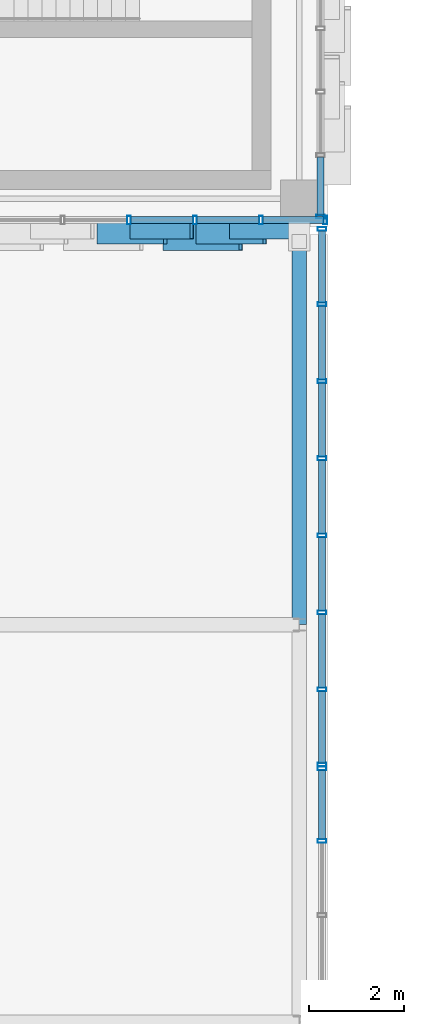
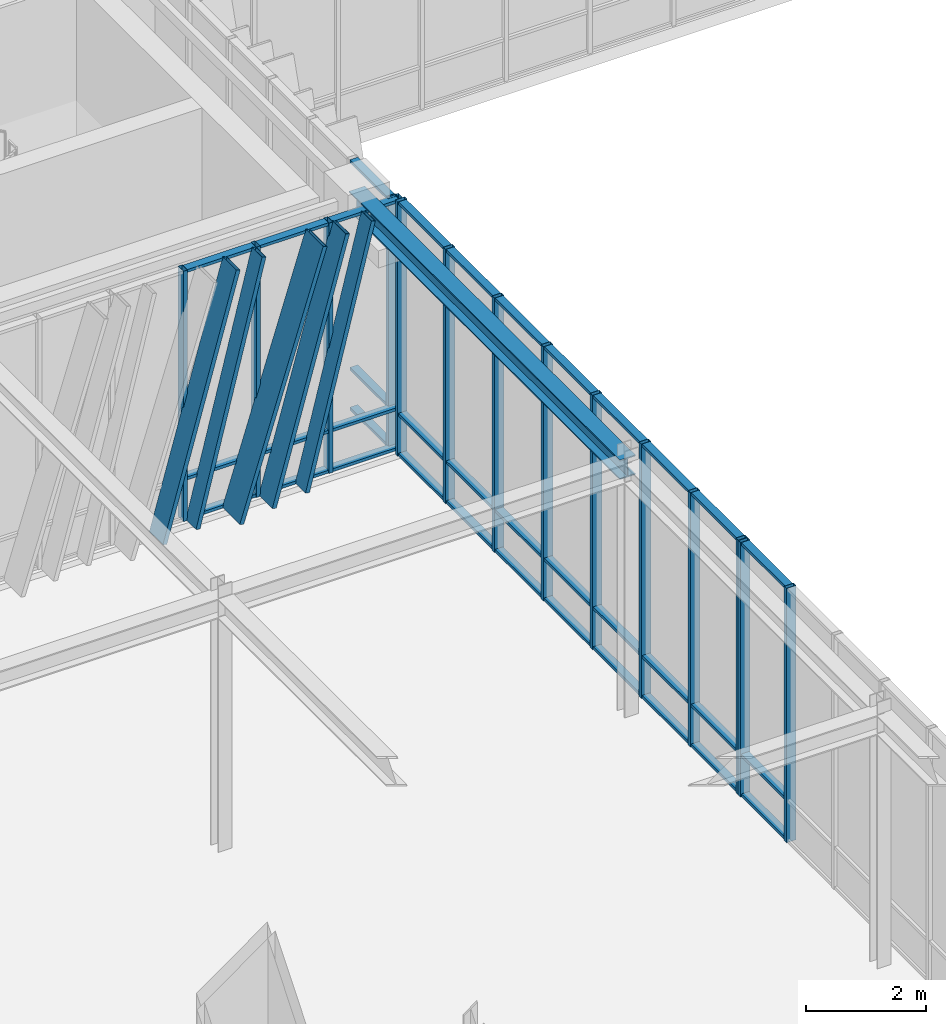
# One storey, part 29 of 139: 56 members, 1 beam, 4 elements without a shape of their own.
"""IFC4 building model written with IfcOpenShell, lengths in metres."""

from ifc_helpers import new_model, si_unit, direction, frame, origin, origin_2d, place, context, subcontext, project, spatial, hollow_rectangle, i_section, extrude, material, layer, layer_set, material_profile, profile_set, type_object, element, aggregate, save


model = new_model("IFC4")

# Units and contexts
model_context = context("Model", 3, precision=1e-05, world=origin(), true_north=direction((0.0, 1.0)))
body_context = subcontext(model_context, "Body", "Model", "MODEL_VIEW")
ifc_project = project(units=[si_unit("LENGTHUNIT", "METRE"), si_unit("AREAUNIT", "SQUARE_METRE"), si_unit("VOLUMEUNIT", "CUBIC_METRE"), si_unit("PLANEANGLEUNIT", "RADIAN"), si_unit("MASSUNIT", "GRAM", prefix="KILO")], contexts=[model_context])

# Site, building, storey
site_placement = place(None, origin())
site = spatial("IfcSite", under=ifc_project, at=site_placement, CompositionType="ELEMENT")
building_placement = place(site_placement, origin())
building = spatial("IfcBuilding", under=site, at=building_placement, Name="Zayran Congress Hotel", CompositionType="ELEMENT")
storey_placement = place(building_placement, frame((0.0, 0.0, 5.39990234375)))
storey = spatial("IfcBuildingStorey", under=building, at=storey_placement, Name="L01", CompositionType="ELEMENT", Elevation=5.39990234375)

# Beam
ifc_material_1 = material(Name="Steel S355", Category="steel")
ifc_material_profile_1 = material_profile(ifc_material_1, i_section(OverallWidth=0.300048828125, OverallDepth=0.39990234375, WebThickness=0.013427734375, FlangeThickness=0.02392578125, at=origin_2d()), Name="HEB 400")
ifc_profile_set_1 = profile_set([ifc_material_profile_1], Name="Steel S355")
beam_type = type_object("IfcBeamType", Name="TP-BM-10", PredefinedType="BEAM", material=ifc_profile_set_1)
beam_placement = place(storey_placement, frame((91.800048828125, 59.199951171875, 4.960205078125), z_axis=(0.0, 1.0, 0.0), x_axis=(-1.0, 0.0, 0.0)))
element("IfcBeam", 1, at=beam_placement, inside=storey, type_object=beam_type, Name="BM-BR2Y-L01-2475", PredefinedType="BEAM", context=body_context, shape_type="SweptSolid", body=[
    extrude(i_section(OverallWidth=0.300048828125, OverallDepth=0.39990234375, WebThickness=0.013427734375, FlangeThickness=0.02392578125, at=origin_2d()), origin(), (0.0, 0.0, 1.0), 9.0),
])

# Curtain wall, members
ifc_material_2 = material(Name="Anodised aluminium and low-E insulated glass", Category="aluminium")
ifc_layer_1 = layer(ifc_material_2, 0.179931640625)
ifc_layer_set_1 = layer_set([ifc_layer_1], Name="Anodised aluminium and low-E insulated glass")
curtain_wall_type_1 = type_object("IfcCurtainWallType", Name="CW-V1S-L01-CW-11-8380-5080", PredefinedType="USERDEFINED", material=ifc_layer_set_1)
curtain_wall_1_placement = place(storey_placement, origin())
curtain_wall_1 = element("IfcCurtainWall", 2, at=curtain_wall_1_placement, inside=storey, type_object=curtain_wall_type_1, Name="CW-V1S-L01-9", ObjectType="CURTAIN WALL", PredefinedType="USERDEFINED")
ifc_material_3 = material(Name="Anodised aluminium framing", Category="aluminium")
ifc_material_profile_2 = material_profile(ifc_material_3, hollow_rectangle(XDim=0.080078125, YDim=0.179931640625, WallThickness=0.0048828125, at=origin_2d()), Name="RHS 180x80x5")
ifc_profile_set_2 = profile_set([ifc_material_profile_2], Name="Anodised aluminium framing")
member_type_1 = type_object("IfcMemberType", Name="TP-CWM-01", PredefinedType="MULLION", material=ifc_profile_set_2)
member_1_placement = place(storey_placement, frame((88.199951171875, 67.75, 0.0), z_axis=(0.0, 0.0, 1.0), x_axis=(1.0, 0.0, 0.0)))
member_1 = element("IfcMember", 3, at=member_1_placement, type_object=member_type_1, Name="CW-V1S-L01-9-M03", PredefinedType="MULLION", context=body_context, shape_type="SweptSolid", body=[
    extrude(hollow_rectangle(XDim=0.080078125, YDim=0.179931640625, WallThickness=0.0048828125, at=origin_2d()), origin(), (0.0, 0.0, 1.0), 5.080078125),
])
member_2_placement = place(storey_placement, frame((89.5966796875, 67.75, 0.0), z_axis=(0.0, 0.0, 1.0), x_axis=(1.0, 0.0, 0.0)))
member_2 = element("IfcMember", 4, at=member_2_placement, type_object=member_type_1, Name="CW-V1S-L01-9-M04", PredefinedType="MULLION", context=body_context, shape_type="SweptSolid", body=[
    extrude(hollow_rectangle(XDim=0.080078125, YDim=0.179931640625, WallThickness=0.0048828125, at=origin_2d()), origin(), (0.0, 0.0, 1.0), 5.080078125),
])
member_3_placement = place(storey_placement, frame((90.993408203125, 67.75, 0.0), z_axis=(0.0, 0.0, 1.0), x_axis=(1.0, 0.0, 0.0)))
member_3 = element("IfcMember", 5, at=member_3_placement, type_object=member_type_1, Name="CW-V1S-L01-9-M05", PredefinedType="MULLION", context=body_context, shape_type="SweptSolid", body=[
    extrude(hollow_rectangle(XDim=0.080078125, YDim=0.179931640625, WallThickness=0.0048828125, at=origin_2d()), origin(), (0.0, 0.0, 1.0), 5.080078125),
])
member_4_placement = place(storey_placement, frame((92.35009765625, 67.75, 0.0), z_axis=(0.0, 0.0, 1.0), x_axis=(1.0, 0.0, 0.0)))
member_4 = element("IfcMember", 6, at=member_4_placement, type_object=member_type_1, Name="CW-V1S-L01-9-M06", PredefinedType="MULLION", context=body_context, shape_type="SweptSolid", body=[
    extrude(hollow_rectangle(XDim=0.080078125, YDim=0.179931640625, WallThickness=0.0048828125, at=origin_2d()), origin(), (0.0, 0.0, 1.0), 5.080078125),
])

# Curtain wall, member
ifc_layer_2 = layer(ifc_material_2, 0.179931640625)
ifc_layer_set_2 = layer_set([ifc_layer_2], Name="Anodised aluminium and low-E insulated glass")
curtain_wall_type_2 = type_object("IfcCurtainWallType", Name="CW-V1E-L01-CW-41-8040-5080", PredefinedType="USERDEFINED", material=ifc_layer_set_2)
curtain_wall_2_placement = place(storey_placement, origin())
curtain_wall_2 = element("IfcCurtainWall", 7, at=curtain_wall_2_placement, inside=storey, type_object=curtain_wall_type_2, Name="CW-V1E-L01-0", ObjectType="CURTAIN WALL", PredefinedType="USERDEFINED")
member_5_placement = place(storey_placement, frame((92.25, 67.820068359375, 0.0), z_axis=(0.0, 0.0, 1.0), x_axis=(0.0, 1.0, 0.0)))
member_5 = element("IfcMember", 8, at=member_5_placement, type_object=member_type_1, Name="CW-V1E-L01-0-M00", PredefinedType="MULLION", context=body_context, shape_type="SweptSolid", body=[
    extrude(hollow_rectangle(XDim=0.080078125, YDim=0.179931640625, WallThickness=0.0048828125, at=origin_2d()), origin(), (0.0, 0.0, 1.0), 5.080078125),
])

# Curtain wall, members
ifc_layer_3 = layer(ifc_material_2, 0.179931640625)
ifc_layer_set_3 = layer_set([ifc_layer_3], Name="Anodised aluminium and low-E insulated glass")
curtain_wall_type_3 = type_object("IfcCurtainWallType", Name="CW-BR2-L01-CW-BR2-11000-5160", PredefinedType="USERDEFINED", material=ifc_layer_set_3)
curtain_wall_3_placement = place(storey_placement, origin())
curtain_wall_3 = element("IfcCurtainWall", 9, at=curtain_wall_3_placement, inside=storey, type_object=curtain_wall_type_3, Name="CW-BR2E-L01-1", ObjectType="CURTAIN WALL", PredefinedType="USERDEFINED")
member_6_placement = place(storey_placement, frame((92.280029296875, 54.628662109375, 0.0), z_axis=(0.0, 0.0, 1.0), x_axis=(0.0, 1.0, 0.0)))
member_6 = element("IfcMember", 10, at=member_6_placement, type_object=member_type_1, Name="CW-BR2E-L01-1-M06", PredefinedType="MULLION", context=body_context, shape_type="SweptSolid", body=[
    extrude(hollow_rectangle(XDim=0.080078125, YDim=0.179931640625, WallThickness=0.0048828125, at=origin_2d()), origin(), (0.0, 0.0, 1.0), 5.16015625),
])
member_7_placement = place(storey_placement, frame((92.280029296875, 56.159912109375, 0.0), z_axis=(0.0, 0.0, 1.0), x_axis=(0.0, 1.0, 0.0)))
member_7 = element("IfcMember", 11, at=member_7_placement, type_object=member_type_1, Name="CW-BR2E-L01-1-M07", PredefinedType="MULLION", context=body_context, shape_type="SweptSolid", body=[
    extrude(hollow_rectangle(XDim=0.080078125, YDim=0.179931640625, WallThickness=0.0048828125, at=origin_2d()), origin(), (0.0, 0.0, 1.0), 5.16015625),
])

ifc_layer_4 = layer(ifc_material_2, 0.179931640625)
ifc_layer_set_4 = layer_set([ifc_layer_4], Name="Anodised aluminium and low-E insulated glass")
curtain_wall_type_4 = type_object("IfcCurtainWallType", Name="CW-BR2-L01-CW-BR2-11400-5160", PredefinedType="USERDEFINED", material=ifc_layer_set_4)
curtain_wall_4_placement = place(storey_placement, origin())
curtain_wall_4 = element("IfcCurtainWall", 12, at=curtain_wall_4_placement, inside=storey, type_object=curtain_wall_type_4, Name="CW-BR2E-L01-2", ObjectType="CURTAIN WALL", PredefinedType="USERDEFINED")
member_8_placement = place(storey_placement, frame((92.280029296875, 56.239990234375, 0.0), z_axis=(0.0, 0.0, 1.0), x_axis=(0.0, 1.0, 0.0)))
member_8 = element("IfcMember", 13, at=member_8_placement, type_object=member_type_1, Name="CW-BR2E-L01-2-M00", PredefinedType="MULLION", context=body_context, shape_type="SweptSolid", body=[
    extrude(hollow_rectangle(XDim=0.080078125, YDim=0.179931640625, WallThickness=0.0048828125, at=origin_2d()), origin(), (0.0, 0.0, 1.0), 5.16015625),
])
member_9_placement = place(storey_placement, frame((92.280029296875, 57.82861328125, 0.0), z_axis=(0.0, 0.0, 1.0), x_axis=(0.0, 1.0, 0.0)))
member_9 = element("IfcMember", 14, at=member_9_placement, type_object=member_type_1, Name="CW-BR2E-L01-2-M01", PredefinedType="MULLION", context=body_context, shape_type="SweptSolid", body=[
    extrude(hollow_rectangle(XDim=0.080078125, YDim=0.179931640625, WallThickness=0.0048828125, at=origin_2d()), origin(), (0.0, 0.0, 1.0), 5.16015625),
])
member_10_placement = place(storey_placement, frame((92.280029296875, 59.45703125, 0.0), z_axis=(0.0, 0.0, 1.0), x_axis=(0.0, 1.0, 0.0)))
member_10 = element("IfcMember", 15, at=member_10_placement, type_object=member_type_1, Name="CW-BR2E-L01-2-M02", PredefinedType="MULLION", context=body_context, shape_type="SweptSolid", body=[
    extrude(hollow_rectangle(XDim=0.080078125, YDim=0.179931640625, WallThickness=0.0048828125, at=origin_2d()), origin(), (0.0, 0.0, 1.0), 5.16015625),
])
member_11_placement = place(storey_placement, frame((92.280029296875, 61.085693359375, 0.0), z_axis=(0.0, 0.0, 1.0), x_axis=(0.0, 1.0, 0.0)))
member_11 = element("IfcMember", 16, at=member_11_placement, type_object=member_type_1, Name="CW-BR2E-L01-2-M03", PredefinedType="MULLION", context=body_context, shape_type="SweptSolid", body=[
    extrude(hollow_rectangle(XDim=0.080078125, YDim=0.179931640625, WallThickness=0.0048828125, at=origin_2d()), origin(), (0.0, 0.0, 1.0), 5.16015625),
])
member_12_placement = place(storey_placement, frame((92.280029296875, 62.71435546875, 0.0), z_axis=(0.0, 0.0, 1.0), x_axis=(0.0, 1.0, 0.0)))
member_12 = element("IfcMember", 17, at=member_12_placement, type_object=member_type_1, Name="CW-BR2E-L01-2-M04", PredefinedType="MULLION", context=body_context, shape_type="SweptSolid", body=[
    extrude(hollow_rectangle(XDim=0.080078125, YDim=0.179931640625, WallThickness=0.0048828125, at=origin_2d()), origin(), (0.0, 0.0, 1.0), 5.16015625),
])
member_13_placement = place(storey_placement, frame((92.280029296875, 64.343017578125, 0.0), z_axis=(0.0, 0.0, 1.0), x_axis=(0.0, 1.0, 0.0)))
member_13 = element("IfcMember", 18, at=member_13_placement, type_object=member_type_1, Name="CW-BR2E-L01-2-M05", PredefinedType="MULLION", context=body_context, shape_type="SweptSolid", body=[
    extrude(hollow_rectangle(XDim=0.080078125, YDim=0.179931640625, WallThickness=0.0048828125, at=origin_2d()), origin(), (0.0, 0.0, 1.0), 5.16015625),
])
member_14_placement = place(storey_placement, frame((92.280029296875, 65.971435546875, 0.0), z_axis=(0.0, 0.0, 1.0), x_axis=(0.0, 1.0, 0.0)))
member_14 = element("IfcMember", 19, at=member_14_placement, type_object=member_type_1, Name="CW-BR2E-L01-2-M06", PredefinedType="MULLION", context=body_context, shape_type="SweptSolid", body=[
    extrude(hollow_rectangle(XDim=0.080078125, YDim=0.179931640625, WallThickness=0.0048828125, at=origin_2d()), origin(), (0.0, 0.0, 1.0), 5.16015625),
])
member_15_placement = place(storey_placement, frame((92.280029296875, 67.56005859375, 0.0), z_axis=(0.0, 0.0, 1.0), x_axis=(0.0, 1.0, 0.0)))
member_15 = element("IfcMember", 20, at=member_15_placement, type_object=member_type_1, Name="CW-BR2E-L01-2-M07", PredefinedType="MULLION", context=body_context, shape_type="SweptSolid", body=[
    extrude(hollow_rectangle(XDim=0.080078125, YDim=0.179931640625, WallThickness=0.0048828125, at=origin_2d()), origin(), (0.0, 0.0, 1.0), 5.16015625),
])

# Member
ifc_material_profile_3 = material_profile(ifc_material_3, hollow_rectangle(XDim=0.06005859375, YDim=0.14990234375, WallThickness=0.00390625, at=origin_2d()), Name="RHS 150x60x4")
ifc_profile_set_3 = profile_set([ifc_material_profile_3], Name="Anodised aluminium framing")
member_type_2 = type_object("IfcMemberType", Name="TP-CWT-01", PredefinedType="USERDEFINED", material=ifc_profile_set_3)
member_16_placement = place(storey_placement, frame((88.239990234375, 67.75, 0.030029296875), z_axis=(1.0, 0.0, 0.0), x_axis=(0.0, 0.0, 1.0)))
member_16 = element("IfcMember", 21, at=member_16_placement, type_object=member_type_2, Name="CW-V1S-L01-9-T03-0", ObjectType="TRANSOM", PredefinedType="USERDEFINED", context=body_context, shape_type="SweptSolid", body=[
    extrude(hollow_rectangle(XDim=0.06005859375, YDim=0.14990234375, WallThickness=0.00390625, at=origin_2d()), origin(), (0.0, 0.0, 1.0), 1.316650390625),
])

member_17_placement = place(storey_placement, frame((88.239990234375, 67.75, 0.840087890625), z_axis=(1.0, 0.0, 0.0), x_axis=(0.0, 0.0, 1.0)))
member_17 = element("IfcMember", 22, at=member_17_placement, type_object=member_type_2, Name="CW-V1S-L01-9-T03-1", ObjectType="TRANSOM", PredefinedType="USERDEFINED", context=body_context, shape_type="SweptSolid", body=[
    extrude(hollow_rectangle(XDim=0.06005859375, YDim=0.14990234375, WallThickness=0.00390625, at=origin_2d()), origin(), (0.0, 0.0, 1.0), 1.316650390625),
])

member_18_placement = place(storey_placement, frame((88.239990234375, 67.75, 5.050048828125), z_axis=(1.0, 0.0, 0.0), x_axis=(0.0, 0.0, 1.0)))
member_18 = element("IfcMember", 23, at=member_18_placement, type_object=member_type_2, Name="CW-V1S-L01-9-T03-2", ObjectType="TRANSOM", PredefinedType="USERDEFINED", context=body_context, shape_type="SweptSolid", body=[
    extrude(hollow_rectangle(XDim=0.06005859375, YDim=0.14990234375, WallThickness=0.00390625, at=origin_2d()), origin(), (0.0, 0.0, 1.0), 1.316650390625),
])

member_19_placement = place(storey_placement, frame((89.63671875, 67.75, 0.030029296875), z_axis=(1.0, 0.0, 0.0), x_axis=(0.0, 0.0, 1.0)))
member_19 = element("IfcMember", 24, at=member_19_placement, type_object=member_type_2, Name="CW-V1S-L01-9-T04-0", ObjectType="TRANSOM", PredefinedType="USERDEFINED", context=body_context, shape_type="SweptSolid", body=[
    extrude(hollow_rectangle(XDim=0.06005859375, YDim=0.14990234375, WallThickness=0.00390625, at=origin_2d()), origin(), (0.0, 0.0, 1.0), 1.316650390625),
])

member_20_placement = place(storey_placement, frame((89.63671875, 67.75, 0.840087890625), z_axis=(1.0, 0.0, 0.0), x_axis=(0.0, 0.0, 1.0)))
member_20 = element("IfcMember", 25, at=member_20_placement, type_object=member_type_2, Name="CW-V1S-L01-9-T04-1", ObjectType="TRANSOM", PredefinedType="USERDEFINED", context=body_context, shape_type="SweptSolid", body=[
    extrude(hollow_rectangle(XDim=0.06005859375, YDim=0.14990234375, WallThickness=0.00390625, at=origin_2d()), origin(), (0.0, 0.0, 1.0), 1.316650390625),
])

member_21_placement = place(storey_placement, frame((89.63671875, 67.75, 5.050048828125), z_axis=(1.0, 0.0, 0.0), x_axis=(0.0, 0.0, 1.0)))
member_21 = element("IfcMember", 26, at=member_21_placement, type_object=member_type_2, Name="CW-V1S-L01-9-T04-2", ObjectType="TRANSOM", PredefinedType="USERDEFINED", context=body_context, shape_type="SweptSolid", body=[
    extrude(hollow_rectangle(XDim=0.06005859375, YDim=0.14990234375, WallThickness=0.00390625, at=origin_2d()), origin(), (0.0, 0.0, 1.0), 1.316650390625),
])

member_22_placement = place(storey_placement, frame((91.033203125, 67.75, 0.030029296875), z_axis=(1.0, 0.0, 0.0), x_axis=(0.0, 0.0, 1.0)))
member_22 = element("IfcMember", 27, at=member_22_placement, type_object=member_type_2, Name="CW-V1S-L01-9-T05-0", ObjectType="TRANSOM", PredefinedType="USERDEFINED", context=body_context, shape_type="SweptSolid", body=[
    extrude(hollow_rectangle(XDim=0.06005859375, YDim=0.14990234375, WallThickness=0.00390625, at=origin_2d()), origin(), (0.0, 0.0, 1.0), 1.27685546875),
])

member_23_placement = place(storey_placement, frame((91.033203125, 67.75, 0.840087890625), z_axis=(1.0, 0.0, 0.0), x_axis=(0.0, 0.0, 1.0)))
member_23 = element("IfcMember", 28, at=member_23_placement, type_object=member_type_2, Name="CW-V1S-L01-9-T05-1", ObjectType="TRANSOM", PredefinedType="USERDEFINED", context=body_context, shape_type="SweptSolid", body=[
    extrude(hollow_rectangle(XDim=0.06005859375, YDim=0.14990234375, WallThickness=0.00390625, at=origin_2d()), origin(), (0.0, 0.0, 1.0), 1.27685546875),
])

member_24_placement = place(storey_placement, frame((91.033203125, 67.75, 5.050048828125), z_axis=(1.0, 0.0, 0.0), x_axis=(0.0, 0.0, 1.0)))
member_24 = element("IfcMember", 29, at=member_24_placement, type_object=member_type_2, Name="CW-V1S-L01-9-T05-2", ObjectType="TRANSOM", PredefinedType="USERDEFINED", context=body_context, shape_type="SweptSolid", body=[
    extrude(hollow_rectangle(XDim=0.06005859375, YDim=0.14990234375, WallThickness=0.00390625, at=origin_2d()), origin(), (0.0, 0.0, 1.0), 1.27685546875),
])

member_25_placement = place(storey_placement, frame((92.25, 67.860107421875, 0.030029296875), z_axis=(0.0, 1.0, 0.0), x_axis=(0.0, 0.0, 1.0)))
member_25 = element("IfcMember", 30, at=member_25_placement, type_object=member_type_2, Name="CW-V1E-L01-0-T00-0", ObjectType="TRANSOM", PredefinedType="USERDEFINED", context=body_context, shape_type="SweptSolid", body=[
    extrude(hollow_rectangle(XDim=0.06005859375, YDim=0.14990234375, WallThickness=0.00390625, at=origin_2d()), origin(), (0.0, 0.0, 1.0), 1.219970703125),
])

member_26_placement = place(storey_placement, frame((92.25, 67.860107421875, 0.840087890625), z_axis=(0.0, 1.0, 0.0), x_axis=(0.0, 0.0, 1.0)))
member_26 = element("IfcMember", 31, at=member_26_placement, type_object=member_type_2, Name="CW-V1E-L01-0-T00-1", ObjectType="TRANSOM", PredefinedType="USERDEFINED", context=body_context, shape_type="SweptSolid", body=[
    extrude(hollow_rectangle(XDim=0.06005859375, YDim=0.14990234375, WallThickness=0.00390625, at=origin_2d()), origin(), (0.0, 0.0, 1.0), 1.219970703125),
])

member_27_placement = place(storey_placement, frame((92.25, 67.860107421875, 5.050048828125), z_axis=(0.0, 1.0, 0.0), x_axis=(0.0, 0.0, 1.0)))
member_27 = element("IfcMember", 32, at=member_27_placement, type_object=member_type_2, Name="CW-V1E-L01-0-T00-2", ObjectType="TRANSOM", PredefinedType="USERDEFINED", context=body_context, shape_type="SweptSolid", body=[
    extrude(hollow_rectangle(XDim=0.06005859375, YDim=0.14990234375, WallThickness=0.00390625, at=origin_2d()), origin(), (0.0, 0.0, 1.0), 1.219970703125),
])

aggregate(curtain_wall_2, [member_5, member_25, member_26, member_27])

member_28_placement = place(storey_placement, frame((92.280029296875, 54.668701171875, 0.030029296875), z_axis=(0.0, 1.0, 0.0), x_axis=(0.0, 0.0, 1.0)))
member_28 = element("IfcMember", 33, at=member_28_placement, type_object=member_type_2, Name="CW-BR2E-L01-1-T06-0", ObjectType="TRANSOM", PredefinedType="USERDEFINED", context=body_context, shape_type="SweptSolid", body=[
    extrude(hollow_rectangle(XDim=0.06005859375, YDim=0.14990234375, WallThickness=0.00390625, at=origin_2d()), origin(), (0.0, 0.0, 1.0), 1.451416015625),
])

member_29_placement = place(storey_placement, frame((92.280029296875, 54.668701171875, 0.840087890625), z_axis=(0.0, 1.0, 0.0), x_axis=(0.0, 0.0, 1.0)))
member_29 = element("IfcMember", 34, at=member_29_placement, type_object=member_type_2, Name="CW-BR2E-L01-1-T06-1", ObjectType="TRANSOM", PredefinedType="USERDEFINED", context=body_context, shape_type="SweptSolid", body=[
    extrude(hollow_rectangle(XDim=0.06005859375, YDim=0.14990234375, WallThickness=0.00390625, at=origin_2d()), origin(), (0.0, 0.0, 1.0), 1.451416015625),
])

member_30_placement = place(storey_placement, frame((92.280029296875, 54.668701171875, 5.130126953125), z_axis=(0.0, 1.0, 0.0), x_axis=(0.0, 0.0, 1.0)))
member_30 = element("IfcMember", 35, at=member_30_placement, type_object=member_type_2, Name="CW-BR2E-L01-1-T06-2", ObjectType="TRANSOM", PredefinedType="USERDEFINED", context=body_context, shape_type="SweptSolid", body=[
    extrude(hollow_rectangle(XDim=0.06005859375, YDim=0.14990234375, WallThickness=0.00390625, at=origin_2d()), origin(), (0.0, 0.0, 1.0), 1.451416015625),
])

aggregate(curtain_wall_3, [member_6, member_7, member_28, member_29, member_30])

member_31_placement = place(storey_placement, frame((92.280029296875, 56.280029296875, 0.030029296875), z_axis=(0.0, 1.0, 0.0), x_axis=(0.0, 0.0, 1.0)))
member_31 = element("IfcMember", 36, at=member_31_placement, type_object=member_type_2, Name="CW-BR2E-L01-2-T00-0", ObjectType="TRANSOM", PredefinedType="USERDEFINED", context=body_context, shape_type="SweptSolid", body=[
    extrude(hollow_rectangle(XDim=0.06005859375, YDim=0.14990234375, WallThickness=0.00390625, at=origin_2d()), origin(), (0.0, 0.0, 1.0), 1.508544921875),
])

member_32_placement = place(storey_placement, frame((92.280029296875, 56.280029296875, 0.840087890625), z_axis=(0.0, 1.0, 0.0), x_axis=(0.0, 0.0, 1.0)))
member_32 = element("IfcMember", 37, at=member_32_placement, type_object=member_type_2, Name="CW-BR2E-L01-2-T00-1", ObjectType="TRANSOM", PredefinedType="USERDEFINED", context=body_context, shape_type="SweptSolid", body=[
    extrude(hollow_rectangle(XDim=0.06005859375, YDim=0.14990234375, WallThickness=0.00390625, at=origin_2d()), origin(), (0.0, 0.0, 1.0), 1.508544921875),
])

member_33_placement = place(storey_placement, frame((92.280029296875, 56.280029296875, 5.130126953125), z_axis=(0.0, 1.0, 0.0), x_axis=(0.0, 0.0, 1.0)))
member_33 = element("IfcMember", 38, at=member_33_placement, type_object=member_type_2, Name="CW-BR2E-L01-2-T00-2", ObjectType="TRANSOM", PredefinedType="USERDEFINED", context=body_context, shape_type="SweptSolid", body=[
    extrude(hollow_rectangle(XDim=0.06005859375, YDim=0.14990234375, WallThickness=0.00390625, at=origin_2d()), origin(), (0.0, 0.0, 1.0), 1.508544921875),
])

member_34_placement = place(storey_placement, frame((92.280029296875, 57.86865234375, 0.030029296875), z_axis=(0.0, 1.0, 0.0), x_axis=(0.0, 0.0, 1.0)))
member_34 = element("IfcMember", 39, at=member_34_placement, type_object=member_type_2, Name="CW-BR2E-L01-2-T01-0", ObjectType="TRANSOM", PredefinedType="USERDEFINED", context=body_context, shape_type="SweptSolid", body=[
    extrude(hollow_rectangle(XDim=0.06005859375, YDim=0.14990234375, WallThickness=0.00390625, at=origin_2d()), origin(), (0.0, 0.0, 1.0), 1.54833984375),
])

member_35_placement = place(storey_placement, frame((92.280029296875, 57.86865234375, 0.840087890625), z_axis=(0.0, 1.0, 0.0), x_axis=(0.0, 0.0, 1.0)))
member_35 = element("IfcMember", 40, at=member_35_placement, type_object=member_type_2, Name="CW-BR2E-L01-2-T01-1", ObjectType="TRANSOM", PredefinedType="USERDEFINED", context=body_context, shape_type="SweptSolid", body=[
    extrude(hollow_rectangle(XDim=0.06005859375, YDim=0.14990234375, WallThickness=0.00390625, at=origin_2d()), origin(), (0.0, 0.0, 1.0), 1.54833984375),
])

member_36_placement = place(storey_placement, frame((92.280029296875, 57.86865234375, 5.130126953125), z_axis=(0.0, 1.0, 0.0), x_axis=(0.0, 0.0, 1.0)))
member_36 = element("IfcMember", 41, at=member_36_placement, type_object=member_type_2, Name="CW-BR2E-L01-2-T01-2", ObjectType="TRANSOM", PredefinedType="USERDEFINED", context=body_context, shape_type="SweptSolid", body=[
    extrude(hollow_rectangle(XDim=0.06005859375, YDim=0.14990234375, WallThickness=0.00390625, at=origin_2d()), origin(), (0.0, 0.0, 1.0), 1.54833984375),
])

member_37_placement = place(storey_placement, frame((92.280029296875, 59.4970703125, 0.030029296875), z_axis=(0.0, 1.0, 0.0), x_axis=(0.0, 0.0, 1.0)))
member_37 = element("IfcMember", 42, at=member_37_placement, type_object=member_type_2, Name="CW-BR2E-L01-2-T02-0", ObjectType="TRANSOM", PredefinedType="USERDEFINED", context=body_context, shape_type="SweptSolid", body=[
    extrude(hollow_rectangle(XDim=0.06005859375, YDim=0.14990234375, WallThickness=0.00390625, at=origin_2d()), origin(), (0.0, 0.0, 1.0), 1.548583984375),
])

member_38_placement = place(storey_placement, frame((92.280029296875, 59.4970703125, 0.840087890625), z_axis=(0.0, 1.0, 0.0), x_axis=(0.0, 0.0, 1.0)))
member_38 = element("IfcMember", 43, at=member_38_placement, type_object=member_type_2, Name="CW-BR2E-L01-2-T02-1", ObjectType="TRANSOM", PredefinedType="USERDEFINED", context=body_context, shape_type="SweptSolid", body=[
    extrude(hollow_rectangle(XDim=0.06005859375, YDim=0.14990234375, WallThickness=0.00390625, at=origin_2d()), origin(), (0.0, 0.0, 1.0), 1.548583984375),
])

member_39_placement = place(storey_placement, frame((92.280029296875, 59.4970703125, 5.130126953125), z_axis=(0.0, 1.0, 0.0), x_axis=(0.0, 0.0, 1.0)))
member_39 = element("IfcMember", 44, at=member_39_placement, type_object=member_type_2, Name="CW-BR2E-L01-2-T02-2", ObjectType="TRANSOM", PredefinedType="USERDEFINED", context=body_context, shape_type="SweptSolid", body=[
    extrude(hollow_rectangle(XDim=0.06005859375, YDim=0.14990234375, WallThickness=0.00390625, at=origin_2d()), origin(), (0.0, 0.0, 1.0), 1.548583984375),
])

member_40_placement = place(storey_placement, frame((92.280029296875, 61.125732421875, 0.030029296875), z_axis=(0.0, 1.0, 0.0), x_axis=(0.0, 0.0, 1.0)))
member_40 = element("IfcMember", 45, at=member_40_placement, type_object=member_type_2, Name="CW-BR2E-L01-2-T03-0", ObjectType="TRANSOM", PredefinedType="USERDEFINED", context=body_context, shape_type="SweptSolid", body=[
    extrude(hollow_rectangle(XDim=0.06005859375, YDim=0.14990234375, WallThickness=0.00390625, at=origin_2d()), origin(), (0.0, 0.0, 1.0), 1.548583984375),
])

member_41_placement = place(storey_placement, frame((92.280029296875, 61.125732421875, 0.840087890625), z_axis=(0.0, 1.0, 0.0), x_axis=(0.0, 0.0, 1.0)))
member_41 = element("IfcMember", 46, at=member_41_placement, type_object=member_type_2, Name="CW-BR2E-L01-2-T03-1", ObjectType="TRANSOM", PredefinedType="USERDEFINED", context=body_context, shape_type="SweptSolid", body=[
    extrude(hollow_rectangle(XDim=0.06005859375, YDim=0.14990234375, WallThickness=0.00390625, at=origin_2d()), origin(), (0.0, 0.0, 1.0), 1.548583984375),
])

member_42_placement = place(storey_placement, frame((92.280029296875, 61.125732421875, 5.130126953125), z_axis=(0.0, 1.0, 0.0), x_axis=(0.0, 0.0, 1.0)))
member_42 = element("IfcMember", 47, at=member_42_placement, type_object=member_type_2, Name="CW-BR2E-L01-2-T03-2", ObjectType="TRANSOM", PredefinedType="USERDEFINED", context=body_context, shape_type="SweptSolid", body=[
    extrude(hollow_rectangle(XDim=0.06005859375, YDim=0.14990234375, WallThickness=0.00390625, at=origin_2d()), origin(), (0.0, 0.0, 1.0), 1.548583984375),
])

member_43_placement = place(storey_placement, frame((92.280029296875, 62.75439453125, 0.030029296875), z_axis=(0.0, 1.0, 0.0), x_axis=(0.0, 0.0, 1.0)))
member_43 = element("IfcMember", 48, at=member_43_placement, type_object=member_type_2, Name="CW-BR2E-L01-2-T04-0", ObjectType="TRANSOM", PredefinedType="USERDEFINED", context=body_context, shape_type="SweptSolid", body=[
    extrude(hollow_rectangle(XDim=0.06005859375, YDim=0.14990234375, WallThickness=0.00390625, at=origin_2d()), origin(), (0.0, 0.0, 1.0), 1.548583984375),
])

member_44_placement = place(storey_placement, frame((92.280029296875, 62.75439453125, 0.840087890625), z_axis=(0.0, 1.0, 0.0), x_axis=(0.0, 0.0, 1.0)))
member_44 = element("IfcMember", 49, at=member_44_placement, type_object=member_type_2, Name="CW-BR2E-L01-2-T04-1", ObjectType="TRANSOM", PredefinedType="USERDEFINED", context=body_context, shape_type="SweptSolid", body=[
    extrude(hollow_rectangle(XDim=0.06005859375, YDim=0.14990234375, WallThickness=0.00390625, at=origin_2d()), origin(), (0.0, 0.0, 1.0), 1.548583984375),
])

member_45_placement = place(storey_placement, frame((92.280029296875, 62.75439453125, 5.130126953125), z_axis=(0.0, 1.0, 0.0), x_axis=(0.0, 0.0, 1.0)))
member_45 = element("IfcMember", 50, at=member_45_placement, type_object=member_type_2, Name="CW-BR2E-L01-2-T04-2", ObjectType="TRANSOM", PredefinedType="USERDEFINED", context=body_context, shape_type="SweptSolid", body=[
    extrude(hollow_rectangle(XDim=0.06005859375, YDim=0.14990234375, WallThickness=0.00390625, at=origin_2d()), origin(), (0.0, 0.0, 1.0), 1.548583984375),
])

member_46_placement = place(storey_placement, frame((92.280029296875, 64.3828125, 0.030029296875), z_axis=(0.0, 1.0, 0.0), x_axis=(0.0, 0.0, 1.0)))
member_46 = element("IfcMember", 51, at=member_46_placement, type_object=member_type_2, Name="CW-BR2E-L01-2-T05-0", ObjectType="TRANSOM", PredefinedType="USERDEFINED", context=body_context, shape_type="SweptSolid", body=[
    extrude(hollow_rectangle(XDim=0.06005859375, YDim=0.14990234375, WallThickness=0.00390625, at=origin_2d()), origin(), (0.0, 0.0, 1.0), 1.548583984375),
])

member_47_placement = place(storey_placement, frame((92.280029296875, 64.3828125, 0.840087890625), z_axis=(0.0, 1.0, 0.0), x_axis=(0.0, 0.0, 1.0)))
member_47 = element("IfcMember", 52, at=member_47_placement, type_object=member_type_2, Name="CW-BR2E-L01-2-T05-1", ObjectType="TRANSOM", PredefinedType="USERDEFINED", context=body_context, shape_type="SweptSolid", body=[
    extrude(hollow_rectangle(XDim=0.06005859375, YDim=0.14990234375, WallThickness=0.00390625, at=origin_2d()), origin(), (0.0, 0.0, 1.0), 1.548583984375),
])

member_48_placement = place(storey_placement, frame((92.280029296875, 64.3828125, 5.130126953125), z_axis=(0.0, 1.0, 0.0), x_axis=(0.0, 0.0, 1.0)))
member_48 = element("IfcMember", 53, at=member_48_placement, type_object=member_type_2, Name="CW-BR2E-L01-2-T05-2", ObjectType="TRANSOM", PredefinedType="USERDEFINED", context=body_context, shape_type="SweptSolid", body=[
    extrude(hollow_rectangle(XDim=0.06005859375, YDim=0.14990234375, WallThickness=0.00390625, at=origin_2d()), origin(), (0.0, 0.0, 1.0), 1.548583984375),
])

member_49_placement = place(storey_placement, frame((92.280029296875, 66.011474609375, 0.030029296875), z_axis=(0.0, 1.0, 0.0), x_axis=(0.0, 0.0, 1.0)))
member_49 = element("IfcMember", 54, at=member_49_placement, type_object=member_type_2, Name="CW-BR2E-L01-2-T06-0", ObjectType="TRANSOM", PredefinedType="USERDEFINED", context=body_context, shape_type="SweptSolid", body=[
    extrude(hollow_rectangle(XDim=0.06005859375, YDim=0.14990234375, WallThickness=0.00390625, at=origin_2d()), origin(), (0.0, 0.0, 1.0), 1.508544921875),
])

member_50_placement = place(storey_placement, frame((92.280029296875, 66.011474609375, 0.840087890625), z_axis=(0.0, 1.0, 0.0), x_axis=(0.0, 0.0, 1.0)))
member_50 = element("IfcMember", 55, at=member_50_placement, type_object=member_type_2, Name="CW-BR2E-L01-2-T06-1", ObjectType="TRANSOM", PredefinedType="USERDEFINED", context=body_context, shape_type="SweptSolid", body=[
    extrude(hollow_rectangle(XDim=0.06005859375, YDim=0.14990234375, WallThickness=0.00390625, at=origin_2d()), origin(), (0.0, 0.0, 1.0), 1.508544921875),
])

member_51_placement = place(storey_placement, frame((92.280029296875, 66.011474609375, 5.130126953125), z_axis=(0.0, 1.0, 0.0), x_axis=(0.0, 0.0, 1.0)))
member_51 = element("IfcMember", 56, at=member_51_placement, type_object=member_type_2, Name="CW-BR2E-L01-2-T06-2", ObjectType="TRANSOM", PredefinedType="USERDEFINED", context=body_context, shape_type="SweptSolid", body=[
    extrude(hollow_rectangle(XDim=0.06005859375, YDim=0.14990234375, WallThickness=0.00390625, at=origin_2d()), origin(), (0.0, 0.0, 1.0), 1.508544921875),
])

aggregate(curtain_wall_4, [member_8, member_9, member_10, member_11, member_12, member_13, member_14, member_15, member_31, member_32, member_33, member_34, member_35, member_36, member_37, member_38, member_39, member_40, member_41, member_42, member_43, member_44, member_45, member_46, member_47, member_48, member_49, member_50, member_51])

ifc_material_4 = material(Name="Warm bronze anodised aluminium", Category="aluminium")
ifc_material_profile_4 = material_profile(ifc_material_4, hollow_rectangle(XDim=0.080078125, YDim=0.580078125, WallThickness=0.006103515625, at=origin_2d()), Name="RHS 580x80x6")
ifc_profile_set_4 = profile_set([ifc_material_profile_4], Name="Warm bronze anodised aluminium")
member_type_3 = type_object("IfcMemberType", Name="TP-RFN-01", PredefinedType="MULLION", material=ifc_profile_set_4)
member_52_placement = place(storey_placement, frame((88.9599609375, 67.39990234375, 0.0), z_axis=(0.300716755525, 0.0, 0.953713496259), x_axis=(-0.953713496259, 0.0, 0.300716755525)))
member_52 = element("IfcMember", 57, at=member_52_placement, type_object=member_type_3, Name="Slanting Reed Mullion CW-11-07", PredefinedType="MULLION", context=body_context, shape_type="SweptSolid", body=[
    extrude(hollow_rectangle(XDim=0.080078125, YDim=0.580078125, WallThickness=0.006103515625, at=origin_2d()), origin(), (0.0, 0.0, 1.0), 5.32666015625),
])

ifc_material_profile_5 = material_profile(ifc_material_4, hollow_rectangle(XDim=0.080078125, YDim=0.449951171875, WallThickness=0.006103515625, at=origin_2d()), Name="RHS 450x80x6")
ifc_profile_set_5 = profile_set([ifc_material_profile_5], Name="Warm bronze anodised aluminium")
member_type_4 = type_object("IfcMemberType", Name="TP-RFN-02", PredefinedType="MULLION", material=ifc_profile_set_5)
member_53_placement = place(storey_placement, frame((87.56005859375, 67.465087890625, 0.0), z_axis=(0.267213902124, 0.0, 0.963637240102), x_axis=(-0.963637240102, 0.0, 0.267213902124)))
member_53 = element("IfcMember", 58, at=member_53_placement, type_object=member_type_4, Name="Slanting Reed Mullion CW-11-05", PredefinedType="MULLION", context=body_context, shape_type="SweptSolid", body=[
    extrude(hollow_rectangle(XDim=0.080078125, YDim=0.449951171875, WallThickness=0.006103515625, at=origin_2d()), origin(), (0.0, 0.0, 1.0), 5.271728515625),
])

member_54_placement = place(storey_placement, frame((89.659912109375, 67.465087890625, 0.0), z_axis=(0.267256905477, 0.0, 0.96362531436), x_axis=(-0.96362531436, 0.0, 0.267256905477)))
member_54 = element("IfcMember", 59, at=member_54_placement, type_object=member_type_4, Name="Slanting Reed Mullion CW-11-08", PredefinedType="MULLION", context=body_context, shape_type="SweptSolid", body=[
    extrude(hollow_rectangle(XDim=0.080078125, YDim=0.449951171875, WallThickness=0.006103515625, at=origin_2d()), origin(), (0.0, 0.0, 1.0), 5.271728515625),
])

ifc_material_profile_6 = material_profile(ifc_material_4, hollow_rectangle(XDim=0.080078125, YDim=0.340087890625, WallThickness=0.006103515625, at=origin_2d()), Name="RHS 340x80x6")
ifc_profile_set_6 = profile_set([ifc_material_profile_6], Name="Warm bronze anodised aluminium")
member_type_5 = type_object("IfcMemberType", Name="TP-RFN-03", PredefinedType="MULLION", material=ifc_profile_set_6)
member_55_placement = place(storey_placement, frame((88.260009765625, 67.52001953125, 0.0), z_axis=(0.241921145618, 0.0, 0.970295913267), x_axis=(-0.970295913267, 0.0, 0.241921145618)))
member_55 = element("IfcMember", 60, at=member_55_placement, type_object=member_type_5, Name="Slanting Reed Mullion CW-11-06", PredefinedType="MULLION", context=body_context, shape_type="SweptSolid", body=[
    extrude(hollow_rectangle(XDim=0.080078125, YDim=0.340087890625, WallThickness=0.006103515625, at=origin_2d()), origin(), (0.0, 0.0, 1.0), 5.235595703125),
])

member_56_placement = place(storey_placement, frame((90.360107421875, 67.52001953125, 0.0), z_axis=(0.241921145618, 0.0, 0.970295913267), x_axis=(-0.970295913267, 0.0, 0.241921145618)))
member_56 = element("IfcMember", 61, at=member_56_placement, type_object=member_type_5, Name="Slanting Reed Mullion CW-11-09", PredefinedType="MULLION", context=body_context, shape_type="SweptSolid", body=[
    extrude(hollow_rectangle(XDim=0.080078125, YDim=0.340087890625, WallThickness=0.006103515625, at=origin_2d()), origin(), (0.0, 0.0, 1.0), 5.235595703125),
])

aggregate(curtain_wall_1, [member_1, member_2, member_3, member_4, member_16, member_17, member_18, member_19, member_20, member_21, member_22, member_23, member_24, member_53, member_55, member_52, member_54, member_56])

save(model, "model.ifc")
